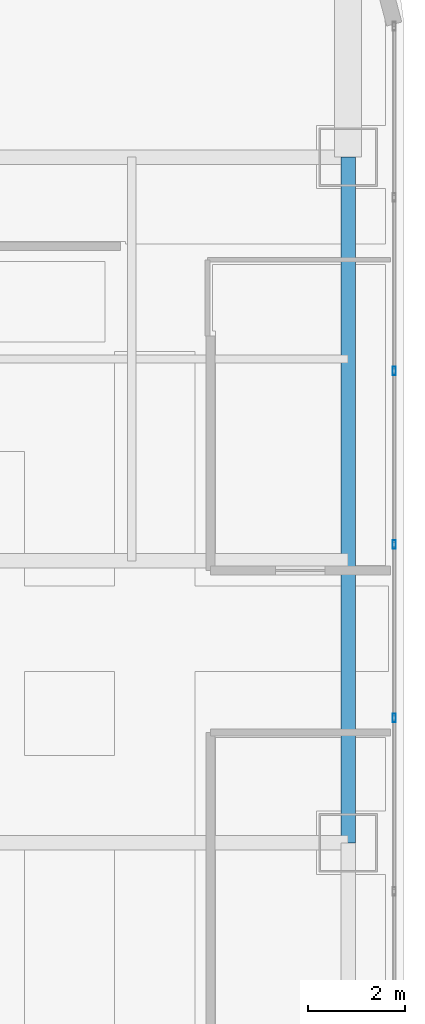
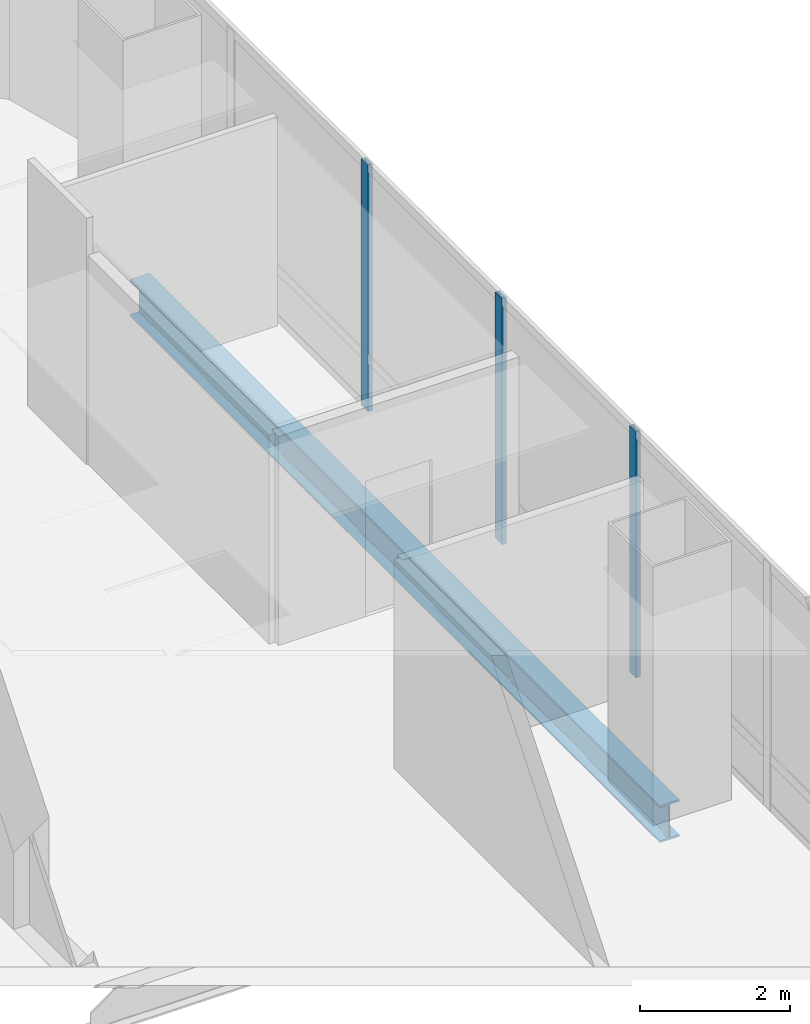
# One storey, part 19 of 43: 3 members, 1 beam, 1 element without a shape of its own.
"""IFC4 building model written with IfcOpenShell, lengths in metres."""

from ifc_helpers import new_model, si_unit, direction, frame, origin, origin_2d, place, context, subcontext, project, spatial, hollow_rectangle, i_section, extrude, material, material_profile, profile_set, type_object, element, aggregate, save


model = new_model("IFC4")

# Units and contexts
model_context = context("Model", 3, precision=1e-05, world=origin(), true_north=direction((0.0, 1.0)))
body_context = subcontext(model_context, "Body", "Model", "MODEL_VIEW")
ifc_project = project(units=[si_unit("LENGTHUNIT", "METRE"), si_unit("AREAUNIT", "SQUARE_METRE"), si_unit("VOLUMEUNIT", "CUBIC_METRE"), si_unit("PLANEANGLEUNIT", "RADIAN"), si_unit("MASSUNIT", "GRAM", prefix="KILO")], contexts=[model_context])

# Site, building, storey
site_placement = place(None, origin())
site = spatial("IfcSite", under=ifc_project, at=site_placement, CompositionType="ELEMENT")
building_placement = place(site_placement, origin())
building = spatial("IfcBuilding", under=site, at=building_placement, Name="Punatoya Terracotta Tower", CompositionType="ELEMENT")
storey_placement = place(building_placement, frame((0.0, 0.0, 300.60009765625)))
storey = spatial("IfcBuildingStorey", under=building, at=storey_placement, Name="L71", CompositionType="ELEMENT", Elevation=300.60009765625)

# Beam
ifc_material_1 = material(Name="Steel S355", Category="steel")
ifc_material_profile_1 = material_profile(ifc_material_1, i_section(OverallWidth=0.300048828125, OverallDepth=0.60009765625, WebThickness=0.015380859375, FlangeThickness=0.030029296875, FilletRadius=0.01806640625, at=origin_2d()))
ifc_profile_set_1 = profile_set([ifc_material_profile_1], Name="Steel S355")
beam_type = type_object("IfcBeamType", Name="BM-PRI-600", PredefinedType="BEAM", material=ifc_profile_set_1)
beam_placement = place(storey_placement, frame((19.10009765625, 3.39990234375, -0.5), z_axis=(0.0, 1.0, 0.0), x_axis=(-1.0, 0.0, 0.0)))
element("IfcBeam", 1, at=beam_placement, inside=storey, type_object=beam_type, Name="BM-L71-RG-E3", PredefinedType="BEAM", context=body_context, shape_type="SweptSolid", body=[
    extrude(i_section(OverallWidth=0.300048828125, OverallDepth=0.60009765625, WebThickness=0.015380859375, FlangeThickness=0.030029296875, FilletRadius=0.01806640625, at=origin_2d()), origin(), (0.0, 0.0, 1.0), 14.10009765625),
])

# Curtain wall, members
ifc_material_2 = material(Name="Aluminium 6063-T6 + Double Low-E Glass", Category="aluminium")
curtain_wall_type = type_object("IfcCurtainWallType", Name="CW-M3", PredefinedType="NOTDEFINED", material=ifc_material_2)
curtain_wall_placement = place(storey_placement, origin())
curtain_wall = element("IfcCurtainWall", 2, at=curtain_wall_placement, inside=storey, type_object=curtain_wall_type, Name="L71 Curtain Wall CW-L71-E05-1", PredefinedType="NOTDEFINED")
ifc_material_3 = material(Name="Aluminium 6063-T6", Category="aluminium")
ifc_material_profile_2 = material_profile(ifc_material_3, hollow_rectangle(XDim=0.070068359375, YDim=0.179931640625, WallThickness=0.00390625, at=origin_2d()))
ifc_profile_set_2 = profile_set([ifc_material_profile_2], Name="Aluminium 6063-T6")
member_type = type_object("IfcMemberType", Name="CW-MUL-M3", PredefinedType="MULLION", material=ifc_profile_set_2)
member_1_placement = place(storey_placement, frame((20.050048828125, 5.96728515625, 0.0), z_axis=(0.0, 0.0, 1.0), x_axis=(1.0, 0.0, 0.0)))
member_1 = element("IfcMember", 3, at=member_1_placement, type_object=member_type, Name="CW-L71-E05-1 Mullion 06", PredefinedType="MULLION", context=body_context, shape_type="SweptSolid", body=[
    extrude(hollow_rectangle(XDim=0.070068359375, YDim=0.179931640625, WallThickness=0.00390625, at=origin_2d()), origin(), (0.0, 0.0, 1.0), 4.0),
])
member_2_placement = place(storey_placement, frame((20.050048828125, 9.534912109375, 0.0), z_axis=(0.0, 0.0, 1.0), x_axis=(1.0, 0.0, 0.0)))
member_2 = element("IfcMember", 4, at=member_2_placement, type_object=member_type, Name="CW-L71-E05-1 Mullion 07", PredefinedType="MULLION", context=body_context, shape_type="SweptSolid", body=[
    extrude(hollow_rectangle(XDim=0.070068359375, YDim=0.179931640625, WallThickness=0.00390625, at=origin_2d()), origin(), (0.0, 0.0, 1.0), 4.0),
])
member_3_placement = place(storey_placement, frame((20.050048828125, 13.10205078125, 0.0), z_axis=(0.0, 0.0, 1.0), x_axis=(1.0, 0.0, 0.0)))
member_3 = element("IfcMember", 5, at=member_3_placement, type_object=member_type, Name="CW-L71-E05-1 Mullion 08", PredefinedType="MULLION", context=body_context, shape_type="SweptSolid", body=[
    extrude(hollow_rectangle(XDim=0.070068359375, YDim=0.179931640625, WallThickness=0.00390625, at=origin_2d()), origin(), (0.0, 0.0, 1.0), 4.0),
])
aggregate(curtain_wall, [member_1, member_2, member_3])

save(model, "model.ifc")
